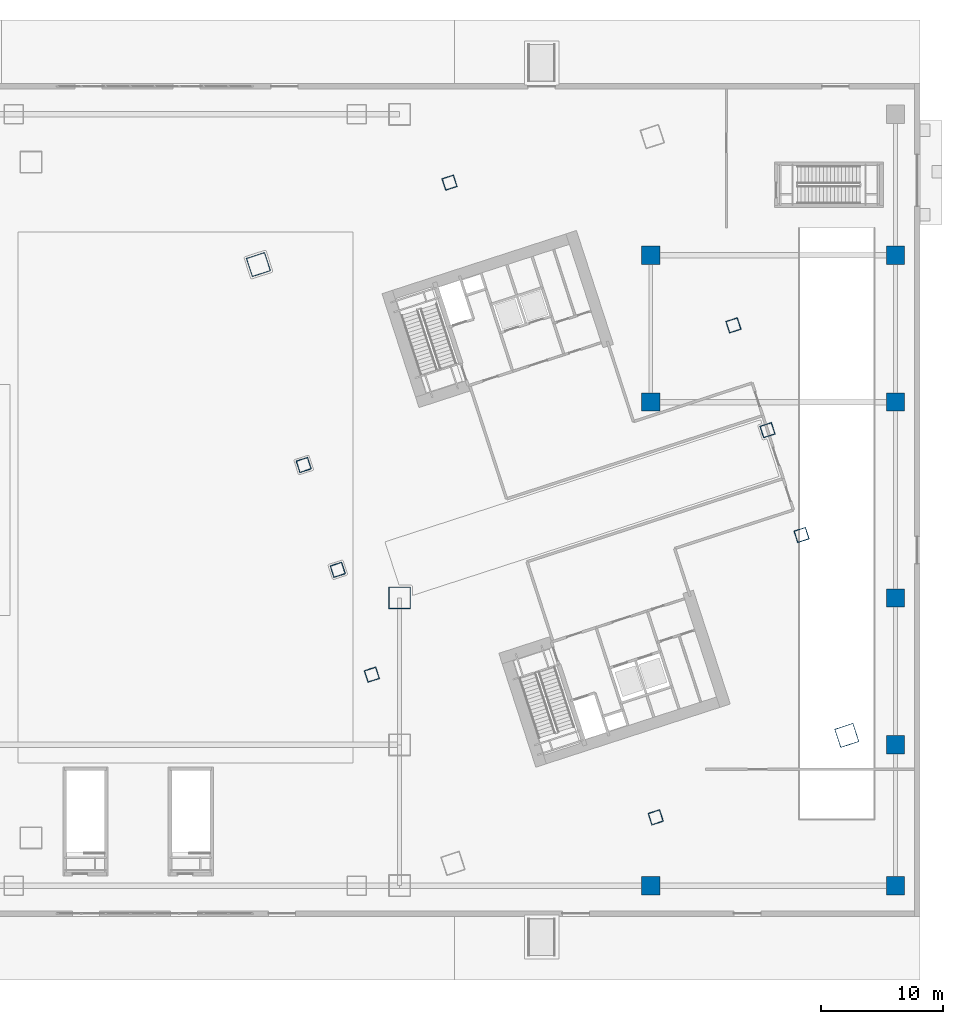
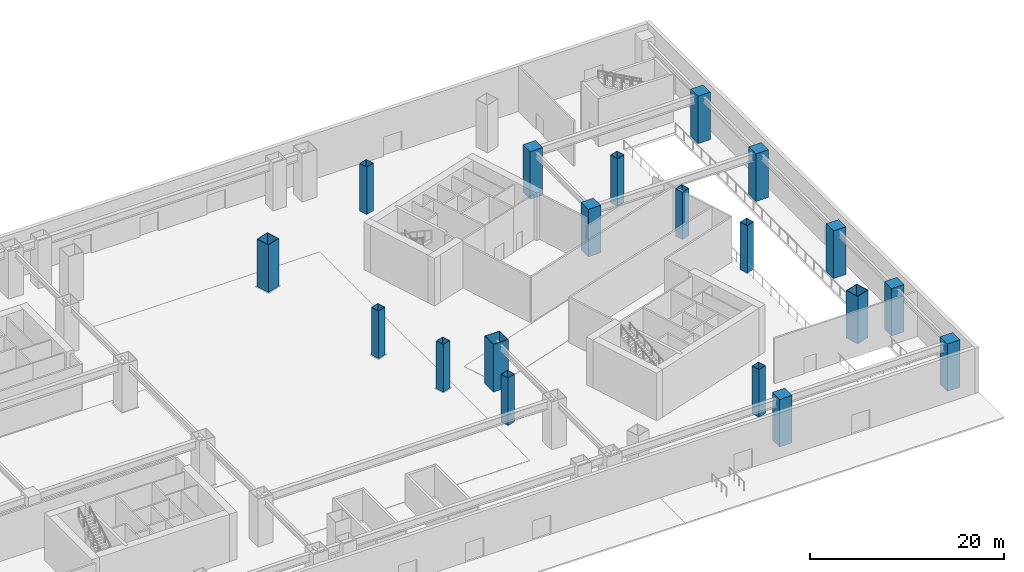
# One storey, part 2 of 31: 19 columns.
"""IFC4 building model written with IfcOpenShell, lengths in metres."""

import ifcopenshell
import ifcopenshell.guid

model = None  # the IFC model being written
_history = None  # IfcOwnerHistory: only IFC2X3 demands one
_inside = {}  # id of a spatial element -> (the spatial element, [elements in it])
_under = {}  # id of a project, library or spatial element -> (it, [spatial elements below it])
_declared = {}  # id of a project -> (the project, [libraries it declares])
_typed = {}  # id of a type object -> (the type object, [elements of that type])
_made_of = {}  # id of a material, layer set ... -> (it, [elements and type objects made of it])


def new_model(schema):
    """Start an empty IFC model of exactly this schema.

    Asked for "IFC4X3", IfcOpenShell would pick the latest addendum, in which some entities
    have other attributes; the version numbers below select the first issue.
    IFC2X3 requires an IfcOwnerHistory on every rooted entity: one is made here for all.
    """
    global model, _history
    if schema == "IFC4X3":
        model = ifcopenshell.file(schema_version=(4, 3, 0, 0))
    else:
        model = ifcopenshell.file(schema=schema)
    _inside.clear()
    _under.clear()
    _declared.clear()
    _typed.clear()
    _made_of.clear()
    _history = None
    if model.schema == "IFC2X3":
        org = make("IfcOrganization", Name="unknown")
        user = make(
            "IfcPersonAndOrganization",
            ThePerson=make("IfcPerson", FamilyName="unknown"),
            TheOrganization=org,
        )
        app = make(
            "IfcApplication",
            ApplicationDeveloper=org,
            Version="unknown",
            ApplicationFullName="unknown",
            ApplicationIdentifier="unknown",
        )
        _history = make(
            "IfcOwnerHistory",
            OwningUser=user,
            OwningApplication=app,
            ChangeAction="ADDED",
            CreationDate=0,
        )
    return model


def make(cls, **values):
    """One entity of the class cls with the attributes given. An attribute that is None is left unset."""
    return model.create_entity(
        cls, **{name: value for name, value in values.items() if value is not None}
    )


def rooted(cls, **values):
    """An entity with a GlobalId (a new one), such as an element, a storey or a relation."""
    return make(cls, GlobalId=ifcopenshell.guid.new(), OwnerHistory=_history, **values)


def si_unit(unit_type, name, prefix=None):
    """IfcSIUnit, for example si_unit("LENGTHUNIT", "METRE", prefix="MILLI")."""
    return make("IfcSIUnit", UnitType=unit_type, Prefix=prefix, Name=name)


def assignment(units):
    """IfcUnitAssignment: the units of a project."""
    return None if units is None else make("IfcUnitAssignment", Units=units)


def point(xyz):
    """IfcCartesianPoint."""
    return None if xyz is None else make("IfcCartesianPoint", Coordinates=xyz)


def direction(xyz):
    """IfcDirection."""
    return None if xyz is None else make("IfcDirection", DirectionRatios=xyz)


def frame(location, z_axis=None, x_axis=None):
    """IfcAxis2Placement3D, a coordinate frame: its origin and axes. An axis left out is left unset."""
    return make(
        "IfcAxis2Placement3D",
        Location=point(location),
        Axis=direction(z_axis),
        RefDirection=direction(x_axis),
    )


def frame_2d(location, x_axis=None):
    """IfcAxis2Placement2D, a coordinate frame in the plane: its origin and x axis."""
    return make(
        "IfcAxis2Placement2D", Location=point(location), RefDirection=direction(x_axis)
    )


def origin():
    """The frame at (0, 0, 0) with its axes left unset."""
    return frame((0.0, 0.0, 0.0))


def origin_2d():
    """The frame at (0, 0) in the plane with its x axis left unset."""
    return frame_2d((0.0, 0.0))


def place(relative_to, where):
    """IfcLocalPlacement: puts the frame where relative to a parent placement (None: the world)."""
    return make(
        "IfcLocalPlacement", PlacementRelTo=relative_to, RelativePlacement=where
    )


def context(
    kind, dimensions, precision=None, world=None, true_north=None, identifier=None
):
    """IfcGeometricRepresentationContext, for example the 3D "Model" context."""
    return make(
        "IfcGeometricRepresentationContext",
        ContextIdentifier=identifier,
        ContextType=kind,
        CoordinateSpaceDimension=dimensions,
        Precision=precision,
        WorldCoordinateSystem=world,
        TrueNorth=true_north,
    )


def subcontext(parent, identifier, kind, view, scale=None):
    """IfcGeometricRepresentationSubContext, for example "Body" below "Model"."""
    return make(
        "IfcGeometricRepresentationSubContext",
        ContextIdentifier=identifier,
        ContextType=kind,
        ParentContext=parent,
        TargetScale=scale,
        TargetView=view,
    )


def project(units=None, contexts=None):
    """IfcProject with its units and contexts."""
    return rooted(
        "IfcProject",
        Name="project",
        RepresentationContexts=contexts,
        UnitsInContext=assignment(units),
    )


def spatial(cls, under=None, at=None, **own):
    """A site, building, storey or space (cls), placed at a placement, below another one or the project."""
    s = rooted(cls, ObjectPlacement=at, **own)
    if under is not None:
        _under.setdefault(under.id(), (under, []))[1].append(s)
    return s


def profile(cls, at=None, kind="AREA", **sizes):
    """A parametric profile (cls). Its sizes go by their IFC names, for example OverallWidth=200.0."""
    return make(cls, ProfileType=kind, Position=at, **sizes)


def rectangle(**sizes):
    """IfcRectangleProfileDef."""
    return profile("IfcRectangleProfileDef", **sizes)


def hollow_rectangle(**sizes):
    """IfcRectangleHollowProfileDef."""
    return profile("IfcRectangleHollowProfileDef", **sizes)


def extrude(swept, where, along, depth):
    """IfcExtrudedAreaSolid: the profile swept, set in the frame where, extruded along a direction by depth."""
    return make(
        "IfcExtrudedAreaSolid",
        SweptArea=swept,
        Position=where,
        ExtrudedDirection=direction(along),
        Depth=depth,
    )


def shape(context_of_items, identifier, shape_type, items):
    """IfcShapeRepresentation: the items that make up one representation, for example the "Body"."""
    return make(
        "IfcShapeRepresentation",
        ContextOfItems=context_of_items,
        RepresentationIdentifier=identifier,
        RepresentationType=shape_type,
        Items=items,
    )


def material(Name=None, Category=None):
    """IfcMaterial."""
    return make("IfcMaterial", Name=Name, Category=Category)


def material_profile(
    of_material, cross_section, Name=None, Category=None, Priority=None
):
    """IfcMaterialProfile: a cross section and its material."""
    return make(
        "IfcMaterialProfile",
        Name=Name,
        Material=of_material,
        Profile=cross_section,
        Priority=Priority,
        Category=Category,
    )


def profile_set(profiles, Name=None, composite=None):
    """IfcMaterialProfileSet."""
    return make(
        "IfcMaterialProfileSet",
        Name=Name,
        MaterialProfiles=profiles,
        CompositeProfile=composite,
    )


def made_of(thing, what):
    """Note that an element or type object is made of a material, layer set ...; save() writes the relation."""
    if what is not None:
        _made_of.setdefault(what.id(), (what, []))[1].append(thing)
    return thing


def type_object(cls, material=None, **own):
    """A type object (cls), such as IfcWallType, which elements share."""
    return made_of(rooted(cls, **own), material)


def element(
    cls,
    number,
    at=None,
    inside=None,
    cuts=None,
    type_object=None,
    material=None,
    context=None,
    identifier="Body",
    shape_type=None,
    held_by="IfcProductDefinitionShape",
    body=None,
    shapes=None,
    **own,
):
    """One element of the class cls, such as IfcWall. Its Tag is "e" and its number.

    at: its placement. inside: the storey or other place that contains it. cuts: it is an
    opening in that element (IfcRelVoidsElement). A single representation is given by context,
    identifier, shape_type and body (its items); several are given by shapes. held_by: the class
    of the entity that holds the representations. save() writes the other relations.
    """
    e = rooted(cls, Tag="e%d" % number, ObjectPlacement=at, **own)
    if body is not None:
        shapes = [shape(context, identifier, shape_type, body)]
    if shapes is not None:
        e.Representation = make(held_by, Representations=shapes)
    if inside is not None:
        _inside.setdefault(inside.id(), (inside, []))[1].append(e)
    if cuts is not None:
        rooted(
            "IfcRelVoidsElement", RelatingBuildingElement=cuts, RelatedOpeningElement=e
        )
    if type_object is not None:
        _typed.setdefault(type_object.id(), (type_object, []))[1].append(e)
    return made_of(e, material)


def aggregate(whole, parts):
    """IfcRelAggregates: a whole, such as a stair, and the parts it consists of."""
    return rooted("IfcRelAggregates", RelatingObject=whole, RelatedObjects=parts)


def save(model, path):
    """Write the relations noted so far, then the file.

    IfcRelAggregates (storeys below a building ...), IfcRelContainedInSpatialStructure (elements
    in a storey), IfcRelDefinesByType, IfcRelAssociatesMaterial and IfcRelDeclares: one each for
    every whole, place, type object, material and project.
    """
    for whole, parts in _under.values():
        aggregate(whole, parts)
    for where, things in _inside.values():
        rooted(
            "IfcRelContainedInSpatialStructure",
            RelatedElements=things,
            RelatingStructure=where,
        )
    for kind, things in _typed.values():
        rooted("IfcRelDefinesByType", RelatedObjects=things, RelatingType=kind)
    for what, things in _made_of.values():
        rooted("IfcRelAssociatesMaterial", RelatedObjects=things, RelatingMaterial=what)
    for by, libraries in _declared.values():
        rooted("IfcRelDeclares", RelatingContext=by, RelatedDefinitions=libraries)
    model.write(path)


model = new_model("IFC4")

# Units and contexts
model_context = context("Model", 3, precision=1e-05, world=origin(), true_north=direction((0.0, 1.0)))
body_context = subcontext(model_context, "Body", "Model", "MODEL_VIEW")
ifc_project = project(units=[si_unit("LENGTHUNIT", "METRE"), si_unit("AREAUNIT", "SQUARE_METRE"), si_unit("VOLUMEUNIT", "CUBIC_METRE"), si_unit("PLANEANGLEUNIT", "RADIAN"), si_unit("MASSUNIT", "GRAM", prefix="KILO")], contexts=[model_context])

# Site, building, storey
site_placement = place(None, origin())
site = spatial("IfcSite", under=ifc_project, at=site_placement, CompositionType="ELEMENT")
building_placement = place(site_placement, origin())
building = spatial("IfcBuilding", under=site, at=building_placement, Name="Qiaolan Cultural Towers", CompositionType="ELEMENT")
storey_placement = place(building_placement, origin())
storey = spatial("IfcBuildingStorey", under=building, at=storey_placement, Name="L00", CompositionType="ELEMENT", Elevation=0.0)

# Columns
ifc_material_1 = material(Name="Steel Q355B", Category="steel")
ifc_material_profile_1 = material_profile(ifc_material_1, hollow_rectangle(XDim=1.0, YDim=1.0, WallThickness=0.035888671875, at=origin_2d()), Name="BOX1000x1000x36")
ifc_profile_set_1 = profile_set([ifc_material_profile_1], Name="Steel Q355B")
column_type_1 = type_object("IfcColumnType", Name="COL-BOX1000x1000x36", PredefinedType="COLUMN", material=ifc_profile_set_1)
for number, where, z_axis, x_axis, name in (
    (1, (75.234130859375, 19.739013671875, 0.0), (0.0, 0.0, 1.0), (0.951056516295, 0.309016994375, 0.0), "L00 T2 Column PC-W1"),
    (2, (72.453125, 28.298583984375, 0.0), (0.0, 0.0, 1.0), (0.951056516295, 0.309016994375, 0.0), "L00 T2 Column PC-W2"),
    (3, (69.671875, 36.858154296875, 0.0), (0.0, 0.0, 1.0), (0.951056516295, 0.309016994375, 0.0), "L00 T2 Column PC-W3"),
    (4, (110.328125, 31.141845703125, 0.0), (0.0, 0.0, 1.0), (0.951056516295, 0.309016994375, 0.0), "L00 T2 Column PC-E1"),
    (5, (107.546875, 39.701416015625, 0.0), (0.0, 0.0, 1.0), (0.951056516295, 0.309016994375, 0.0), "L00 T2 Column PC-E2"),
    (6, (104.765869140625, 48.260986328125, 0.0), (0.0, 0.0, 1.0), (0.951056516295, 0.309016994375, 0.0), "L00 T2 Column PC-E3"),
    (7, (98.420654296875, 8.083740234375, 0.0), (0.0, 0.0, 1.0), (0.951056516295, 0.309016994375, 0.0), "L00 T2 Column PC-S0"),
    (8, (81.579345703125, 59.916259765625, 0.0), (0.0, 0.0, 1.0), (0.951056516295, 0.309016994375, 0.0), "L00 T2 Column PC-N0"),
):
    element("IfcColumn", number, at=place(storey_placement, frame(where, z_axis=z_axis, x_axis=x_axis)), inside=storey, type_object=column_type_1, Name=name, PredefinedType="COLUMN", context=body_context, shape_type="SweptSolid", body=[
        extrude(hollow_rectangle(XDim=1.0, YDim=1.0, WallThickness=0.035888671875, at=origin_2d()), origin(), (0.0, 0.0, 1.0), 6.0009765625),
    ])
ifc_material_2 = material(Name="Steel Q420GJB", Category="steel")
ifc_material_profile_2 = material_profile(ifc_material_2, hollow_rectangle(XDim=1.60009765625, YDim=1.60009765625, WallThickness=0.054931640625, at=origin_2d()), Name="BOX1600x1600x55")
ifc_profile_set_2 = profile_set([ifc_material_profile_2], Name="Steel Q420GJB")
column_type_2 = type_object("IfcColumnType", Name="COL-BOX1600x1600x55", PredefinedType="COLUMN", material=ifc_profile_set_2)
for number, where, z_axis, x_axis, name in (
    (9, (114.027099609375, 14.77392578125, 0.0), (0.0, 0.0, 1.0), (0.951056516295, 0.309016994375, 0.0), "L00 T2 Column MC-SE"),
    (10, (65.972900390625, 53.22607421875, 0.0), (0.0, 0.0, 1.0), (0.951056516295, 0.309016994375, 0.0), "L00 T2 Column MC-NW"),
):
    element("IfcColumn", number, at=place(storey_placement, frame(where, z_axis=z_axis, x_axis=x_axis)), inside=storey, type_object=column_type_2, Name=name, PredefinedType="COLUMN", context=body_context, shape_type="SweptSolid", body=[
        extrude(hollow_rectangle(XDim=1.60009765625, YDim=1.60009765625, WallThickness=0.054931640625, at=origin_2d()), origin(), (0.0, 0.0, 1.0), 6.0009765625),
    ])
ifc_material_3 = material(Name="Steel Q420GJB", Category="steel")
ifc_material_profile_3 = material_profile(ifc_material_3, hollow_rectangle(XDim=1.800048828125, YDim=1.800048828125, WallThickness=0.06005859375, at=origin_2d()), Name="BOX1800x1800x60")
ifc_profile_set_3 = profile_set([ifc_material_profile_3], Name="Steel Q420GJB")
column_type_3 = type_object("IfcColumnType", Name="COL-BOX1800x1800x60", PredefinedType="COLUMN", material=ifc_profile_set_3)
column_placement = place(storey_placement, frame((77.5, 26.0, 0.0), z_axis=(0.0, 0.0, 1.0), x_axis=(1.0, 0.0, 0.0)))
element("IfcColumn", 11, at=column_placement, inside=storey, type_object=column_type_3, Name="L00 Podium Column PC-77-26", PredefinedType="COLUMN", context=body_context, shape_type="SweptSolid", body=[
    extrude(hollow_rectangle(XDim=1.800048828125, YDim=1.800048828125, WallThickness=0.06005859375, at=origin_2d()), origin(), (0.0, 0.0, 1.0), 6.0009765625),
])
ifc_material_4 = material(Name="Concrete C60", Category="concrete")
ifc_material_profile_4 = material_profile(ifc_material_4, rectangle(XDim=1.5, YDim=1.5, at=origin_2d()), Name="RC1500x1500")
ifc_profile_set_4 = profile_set([ifc_material_profile_4], Name="Concrete C60")
column_type_4 = type_object("IfcColumnType", Name="COL-RC1500x1500", PredefinedType="COLUMN", material=ifc_profile_set_4)
for number, where, z_axis, x_axis, name in (
    (12, (98.0, 2.5, 0.0), (0.0, 0.0, 1.0), (1.0, 0.0, 0.0), "L00 Podium Column PC-98-2"),
    (13, (98.0, 42.0, 0.0), (0.0, 0.0, 1.0), (1.0, 0.0, 0.0), "L00 Podium Column PC-98-42"),
    (14, (98.0, 54.0, 0.0), (0.0, 0.0, 1.0), (1.0, 0.0, 0.0), "L00 Podium Column PC-98-54"),
    (15, (118.0, 2.5, 0.0), (0.0, 0.0, 1.0), (1.0, 0.0, 0.0), "L00 Podium Column PC-118-2"),
    (16, (118.0, 14.0, 0.0), (0.0, 0.0, 1.0), (1.0, 0.0, 0.0), "L00 Podium Column PC-118-14"),
    (17, (118.0, 26.0, 0.0), (0.0, 0.0, 1.0), (1.0, 0.0, 0.0), "L00 Podium Column PC-118-26"),
    (18, (118.0, 42.0, 0.0), (0.0, 0.0, 1.0), (1.0, 0.0, 0.0), "L00 Podium Column PC-118-42"),
    (19, (118.0, 54.0, 0.0), (0.0, 0.0, 1.0), (1.0, 0.0, 0.0), "L00 Podium Column PC-118-54"),
):
    element("IfcColumn", number, at=place(storey_placement, frame(where, z_axis=z_axis, x_axis=x_axis)), inside=storey, type_object=column_type_4, Name=name, PredefinedType="COLUMN", context=body_context, shape_type="SweptSolid", body=[
        extrude(rectangle(XDim=1.5, YDim=1.5, at=origin_2d()), origin(), (0.0, 0.0, 1.0), 6.0009765625),
    ])

save(model, "model.ifc")
